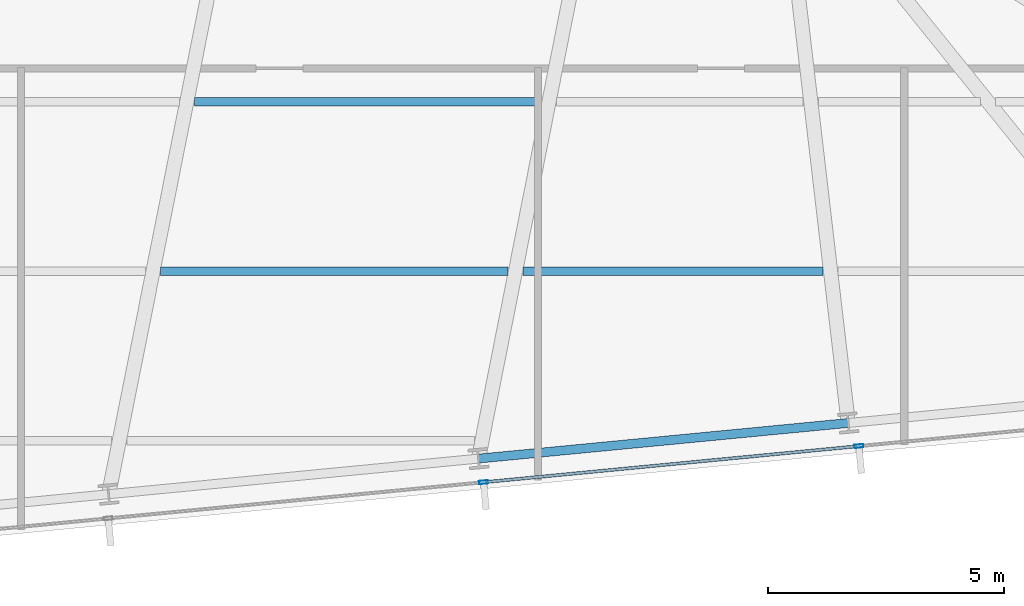
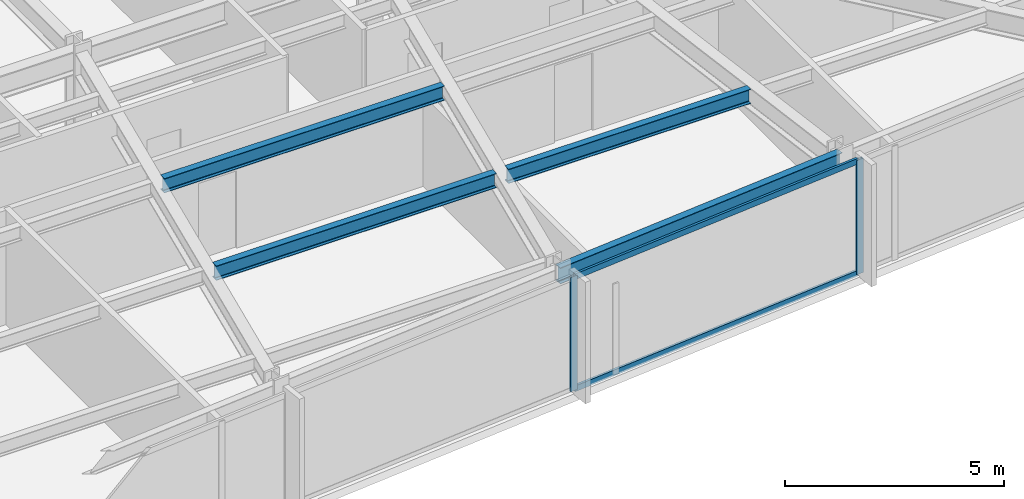
# One storey, part 10 of 33: 4 beams, 4 members, 1 element without a shape of its own.
"""IFC4 building model written with IfcOpenShell, lengths in metres."""

from ifc_helpers import new_model, si_unit, direction, frame, origin, origin_2d, place, context, subcontext, project, spatial, hollow_rectangle, i_section, extrude, material, material_profile, profile_set, type_object, element, aggregate, save


model = new_model("IFC4")

# Units and contexts
model_context = context("Model", 3, precision=1e-05, world=origin(), true_north=direction((0.0, 1.0)))
body_context = subcontext(model_context, "Body", "Model", "MODEL_VIEW")
ifc_project = project(units=[si_unit("LENGTHUNIT", "METRE"), si_unit("AREAUNIT", "SQUARE_METRE"), si_unit("VOLUMEUNIT", "CUBIC_METRE"), si_unit("PLANEANGLEUNIT", "RADIAN"), si_unit("MASSUNIT", "GRAM", prefix="KILO")], contexts=[model_context])

# Site, building, storey
site_placement = place(None, origin())
site = spatial("IfcSite", under=ifc_project, at=site_placement, CompositionType="ELEMENT")
building_placement = place(site_placement, origin())
building = spatial("IfcBuilding", under=site, at=building_placement, Name="Yelkora Congress Tower", CompositionType="ELEMENT")
storey_placement = place(building_placement, frame((0.0, 0.0, 123.699951171875)))
storey = spatial("IfcBuildingStorey", under=building, at=storey_placement, Name="L33", CompositionType="ELEMENT", Elevation=123.699951171875)

# Beams
ifc_material_1 = material(Name="Steel S355J2", Category="steel")
ifc_material_profile_1 = material_profile(ifc_material_1, i_section(OverallWidth=0.179931640625, OverallDepth=0.39990234375, WebThickness=0.008544921875, FlangeThickness=0.013427734375, FilletRadius=0.02099609375, at=origin_2d()), Name="IPE 400")
ifc_profile_set_1 = profile_set([ifc_material_profile_1], Name="Steel S355J2")
beam_type_1 = type_object("IfcBeamType", Name="BM-JOIST-IPE400", PredefinedType="JOIST", material=ifc_profile_set_1)
beam_1_placement = place(storey_placement, frame((44.436767578125, 16.144287109375, 2.97998046875), z_axis=(1.0, 0.0, 0.0), x_axis=(0.0, 1.0, 0.0)))
element("IfcBeam", 1, at=beam_1_placement, inside=storey, type_object=beam_type_1, Name="L33 Composite Floor Joist 7", PredefinedType="JOIST", context=body_context, shape_type="SweptSolid", body=[
    extrude(i_section(OverallWidth=0.179931640625, OverallDepth=0.39990234375, WebThickness=0.008544921875, FlangeThickness=0.013427734375, FilletRadius=0.02099609375, at=origin_2d()), origin(), (0.0, 0.0, 1.0), 7.373046875),
])
beam_2_placement = place(storey_placement, frame((52.1298828125, 16.144287109375, 2.97998046875), z_axis=(1.0, 0.0, 0.0), x_axis=(0.0, 1.0, 0.0)))
element("IfcBeam", 2, at=beam_2_placement, inside=storey, type_object=beam_type_1, Name="L33 Composite Floor Joist 8", PredefinedType="JOIST", context=body_context, shape_type="SweptSolid", body=[
    extrude(i_section(OverallWidth=0.179931640625, OverallDepth=0.39990234375, WebThickness=0.008544921875, FlangeThickness=0.013427734375, FilletRadius=0.02099609375, at=origin_2d()), origin(), (0.0, 0.0, 1.0), 6.3671875),
])
beam_3_placement = place(storey_placement, frame((45.153564453125, 19.744384765625, 2.97998046875), z_axis=(1.0, 0.0, 0.0), x_axis=(0.0, 1.0, 0.0)))
element("IfcBeam", 3, at=beam_3_placement, inside=storey, type_object=beam_type_1, Name="L33 Composite Floor Joist 14", PredefinedType="JOIST", context=body_context, shape_type="SweptSolid", body=[
    extrude(i_section(OverallWidth=0.179931640625, OverallDepth=0.39990234375, WebThickness=0.008544921875, FlangeThickness=0.013427734375, FilletRadius=0.02099609375, at=origin_2d()), origin(), (0.0, 0.0, 1.0), 7.367919921875),
])
ifc_material_profile_2 = material_profile(ifc_material_1, i_section(OverallWidth=0.18994140625, OverallDepth=0.449951171875, WebThickness=0.009521484375, FlangeThickness=0.0146484375, FilletRadius=0.02099609375, at=origin_2d()), Name="IPE 450")
ifc_profile_set_2 = profile_set([ifc_material_profile_2], Name="Steel S355J2")
beam_type_2 = type_object("IfcBeamType", Name="BM-SPAN-IPE450", PredefinedType="SPANDREL", material=ifc_profile_set_2)
beam_4_placement = place(storey_placement, frame((51.18359375, 12.16748046875, 2.955078125), z_axis=(0.995395860104, 0.095849265454, 0.0), x_axis=(-0.095849265454, 0.995395860104, 0.0)))
element("IfcBeam", 4, at=beam_4_placement, inside=storey, type_object=beam_type_2, Name="L33 Perimeter Beam 7", PredefinedType="SPANDREL", context=body_context, shape_type="SweptSolid", body=[
    extrude(i_section(OverallWidth=0.18994140625, OverallDepth=0.449951171875, WebThickness=0.009521484375, FlangeThickness=0.0146484375, FilletRadius=0.02099609375, at=origin_2d()), origin(), (0.0, 0.0, 1.0), 7.885986328125),
])

# Curtain wall, members
ifc_material_2 = material(Name="Anodised aluminium and insulated glass", Category="aluminium")
curtain_wall_type = type_object("IfcCurtainWallType", Name="CW-SYS-B2", PredefinedType="NOTDEFINED", material=ifc_material_2)
curtain_wall_placement = place(storey_placement, origin())
curtain_wall = element("IfcCurtainWall", 5, at=curtain_wall_placement, inside=storey, type_object=curtain_wall_type, Name="L33 Unitised Curtain Wall 20", PredefinedType="NOTDEFINED")
ifc_material_3 = material(Name="Anodised aluminium 6063-T6", Category="aluminium")
ifc_material_profile_3 = material_profile(ifc_material_3, hollow_rectangle(XDim=0.070068359375, YDim=0.18994140625, WallThickness=0.00390625, at=origin_2d()), Name="ALU 70x190x4")
ifc_profile_set_3 = profile_set([ifc_material_profile_3], Name="Anodised aluminium 6063-T6")
member_type_1 = type_object("IfcMemberType", Name="MEM-ML-B2", PredefinedType="MULLION", material=ifc_profile_set_3)
member_1_placement = place(storey_placement, frame((59.2568359375, 12.4326171875, 0.0), z_axis=(0.0, 0.0, 1.0), x_axis=(0.095844345816, -0.995396333816, 0.0)))
member_1 = element("IfcMember", 6, at=member_1_placement, type_object=member_type_1, Name="CW-B2 mullion 3", PredefinedType="MULLION", context=body_context, shape_type="SweptSolid", body=[
    extrude(hollow_rectangle(XDim=0.070068359375, YDim=0.18994140625, WallThickness=0.00390625, at=origin_2d()), origin(), (0.0, 0.0, 1.0), 3.179931640625),
])
member_2_placement = place(storey_placement, frame((51.290771484375, 11.66552734375, 0.0), z_axis=(0.0, 0.0, 1.0), x_axis=(0.095844345816, -0.995396333816, 0.0)))
member_2 = element("IfcMember", 7, at=member_2_placement, type_object=member_type_1, Name="CW-B2 mullion 4", PredefinedType="MULLION", context=body_context, shape_type="SweptSolid", body=[
    extrude(hollow_rectangle(XDim=0.070068359375, YDim=0.18994140625, WallThickness=0.00390625, at=origin_2d()), origin(), (0.0, 0.0, 1.0), 3.179931640625),
])
ifc_material_profile_4 = material_profile(ifc_material_3, hollow_rectangle(XDim=0.06494140625, YDim=0.159912109375, WallThickness=0.00390625, at=origin_2d()), Name="ALU 65x160x4")
ifc_profile_set_4 = profile_set([ifc_material_profile_4], Name="Anodised aluminium 6063-T6")
member_type_2 = type_object("IfcMemberType", Name="MEM-TR-B2", PredefinedType="USERDEFINED", material=ifc_profile_set_4)
member_3_placement = place(storey_placement, frame((59.221923828125, 12.42919921875, 0.032470703125), z_axis=(-0.995397010735, -0.095837315383, 0.0), x_axis=(0.095837315383, -0.995397010735, 0.0)))
member_3 = element("IfcMember", 8, at=member_3_placement, type_object=member_type_2, Name="CW-B2 transom 3.1", ObjectType="TRANSOM", PredefinedType="USERDEFINED", context=body_context, shape_type="SweptSolid", body=[
    extrude(hollow_rectangle(XDim=0.06494140625, YDim=0.159912109375, WallThickness=0.00390625, at=origin_2d()), origin(), (0.0, 0.0, 1.0), 7.932861328125),
])
member_4_placement = place(storey_placement, frame((59.221923828125, 12.42919921875, 3.1474609375), z_axis=(-0.995397010735, -0.095837315383, 0.0), x_axis=(0.095837315383, -0.995397010735, 0.0)))
member_4 = element("IfcMember", 9, at=member_4_placement, type_object=member_type_2, Name="CW-B2 transom 3.2", ObjectType="TRANSOM", PredefinedType="USERDEFINED", context=body_context, shape_type="SweptSolid", body=[
    extrude(hollow_rectangle(XDim=0.06494140625, YDim=0.159912109375, WallThickness=0.00390625, at=origin_2d()), origin(), (0.0, 0.0, 1.0), 7.932861328125),
])
aggregate(curtain_wall, [member_1, member_2, member_3, member_4])

save(model, "model.ifc")
